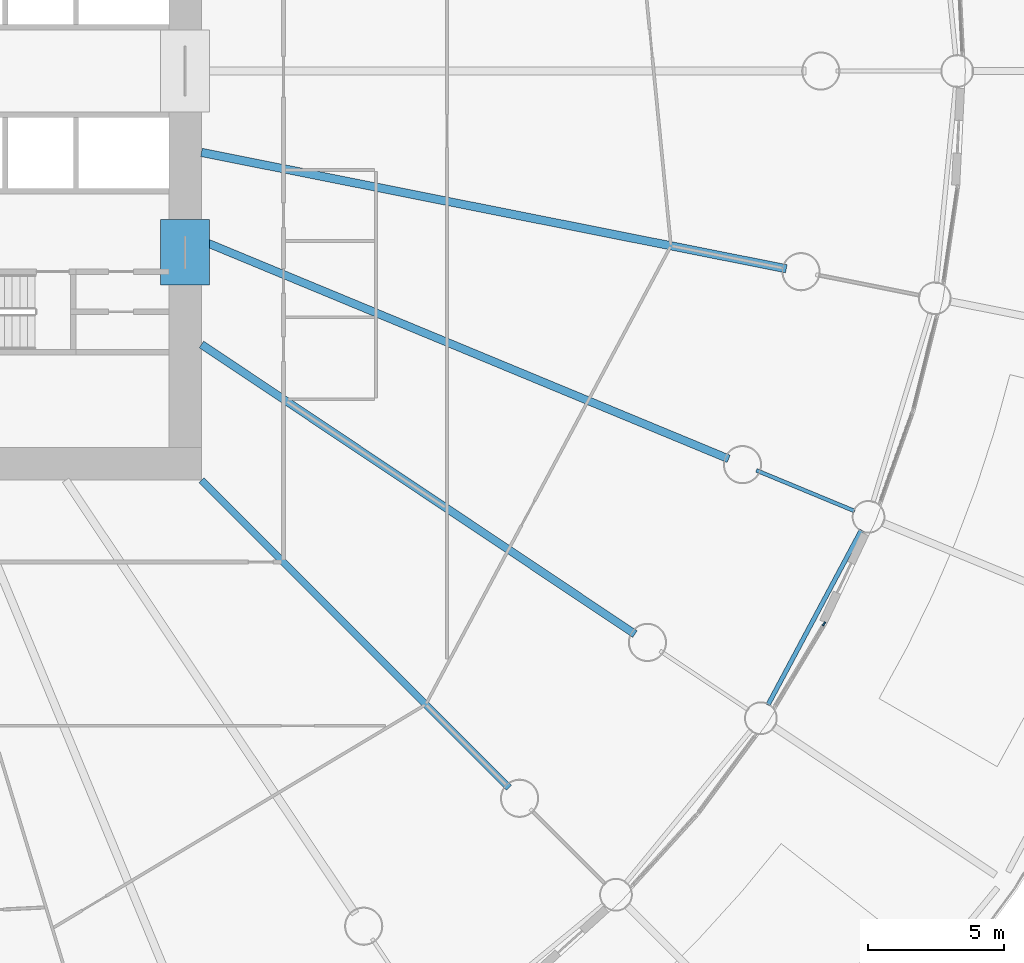
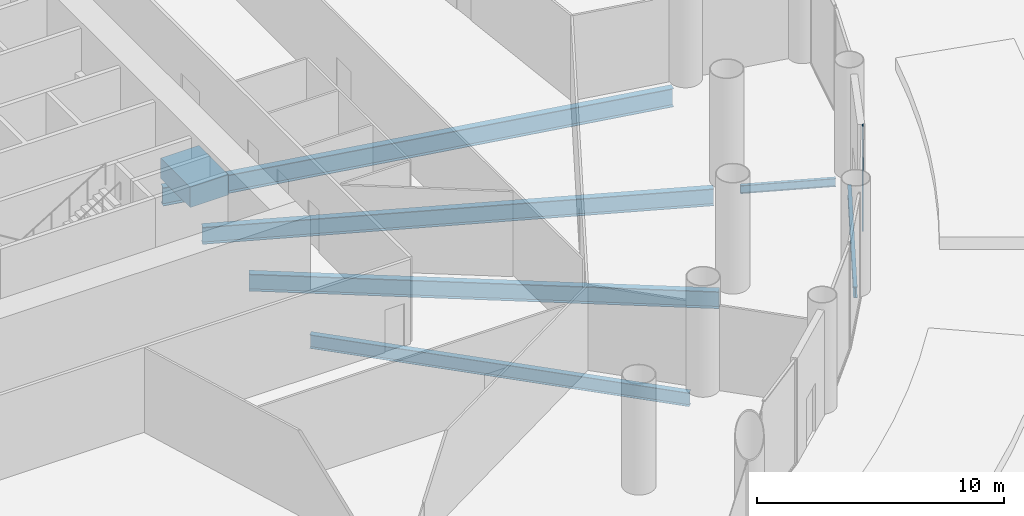
# One storey, part 13 of 36: 7 beams, 1 member, 1 element without a shape of its own.
"""IFC4 building model written with IfcOpenShell, lengths in metres."""

from ifc_helpers import new_model, si_unit, direction, frame, origin, origin_2d, place, context, subcontext, project, spatial, rectangle, i_section, extrude, material, material_profile, profile_set, type_object, element, aggregate, save


model = new_model("IFC4")

# Units and contexts
model_context = context("Model", 3, precision=1e-05, world=origin(), true_north=direction((0.0, 1.0)))
body_context = subcontext(model_context, "Body", "Model", "MODEL_VIEW")
ifc_project = project(units=[si_unit("LENGTHUNIT", "METRE"), si_unit("AREAUNIT", "SQUARE_METRE"), si_unit("VOLUMEUNIT", "CUBIC_METRE"), si_unit("PLANEANGLEUNIT", "RADIAN"), si_unit("MASSUNIT", "GRAM", prefix="KILO")], contexts=[model_context])

# Site, building, storey
site_placement = place(None, origin())
site = spatial("IfcSite", under=ifc_project, at=site_placement, CompositionType="ELEMENT")
building_placement = place(site_placement, origin())
building = spatial("IfcBuilding", under=site, at=building_placement, Name="Corvane Civic Tower", CompositionType="ELEMENT")
storey_placement = place(building_placement, frame((0.0, 0.0, 6.0)))
storey = spatial("IfcBuildingStorey", under=building, at=storey_placement, Name="L01", CompositionType="ELEMENT", Elevation=6.0)

# Beams
ifc_material_1 = material(Name="Concrete C80/95", Category="concrete")
ifc_material_profile_1 = material_profile(ifc_material_1, rectangle(XDim=1.800048828125, YDim=1.0, at=origin_2d()), Name="COUPLING BEAM 1800X1000")
ifc_profile_set_1 = profile_set([ifc_material_profile_1], Name="Concrete C80/95")
beam_type_1 = type_object("IfcBeamType", Name="COUPLING BEAM COUPLING BEAM 1800X1000", PredefinedType="BEAM", material=ifc_profile_set_1)
beam_1_placement = place(storey_placement, frame((14.39990234375, -7.85009765625, 2.60009765625), z_axis=(0.0, 1.0, 0.0), x_axis=(-1.0, 0.0, 0.0)))
element("IfcBeam", 1, at=beam_1_placement, inside=storey, type_object=beam_type_1, Name="BM-L01-cpl-CW-ES", PredefinedType="BEAM", context=body_context, shape_type="SweptSolid", body=[
    extrude(rectangle(XDim=1.800048828125, YDim=1.0, at=origin_2d()), origin(), (0.0, 0.0, 1.0), 2.400146484375),
])
ifc_material_2 = material(Name="Steel ASTM A992 Gr 50", Category="steel")
ifc_material_profile_2 = material_profile(ifc_material_2, i_section(OverallWidth=0.165771484375, OverallDepth=0.5283203125, WebThickness=0.009765625, FlangeThickness=0.013671875, at=origin_2d()), Name="W21X50")
ifc_profile_set_2 = profile_set([ifc_material_profile_2], Name="Steel ASTM A992 Gr 50")
beam_type_2 = type_object("IfcBeamType", Name="EDGE BEAM W21X50", PredefinedType="BEAM", material=ifc_profile_set_2)
beam_2_placement = place(storey_placement, frame((39.1904296875, -16.82568359375, -0.564208984375), z_axis=(-0.471412394598, -0.881912894916, 0.0), x_axis=(0.881912894916, -0.471412394598, 0.0)))
element("IfcBeam", 2, at=beam_2_placement, inside=storey, type_object=beam_type_2, Name="BM-L01-E11", PredefinedType="BEAM", context=body_context, shape_type="SweptSolid", body=[
    extrude(i_section(OverallWidth=0.165771484375, OverallDepth=0.5283203125, WebThickness=0.009765625, FlangeThickness=0.013671875, at=origin_2d()), origin(), (0.0, 0.0, 1.0), 7.270751953125),
])
ifc_material_3 = material(Name="Steel ASTM A992 Gr 50", Category="steel")
ifc_material_profile_3 = material_profile(ifc_material_3, i_section(OverallWidth=0.140380859375, OverallDepth=0.40380859375, WebThickness=0.007080078125, FlangeThickness=0.01123046875, at=origin_2d()), Name="W16X31")
ifc_profile_set_3 = profile_set([ifc_material_profile_3], Name="Steel ASTM A992 Gr 50")
beam_type_3 = type_object("IfcBeamType", Name="FLOOR GIRDER W16X31", PredefinedType="BEAM", material=ifc_profile_set_3)
beam_3_placement = place(storey_placement, frame((35.33837890625, -14.6376953125, -0.501953125), z_axis=(0.923878730261, -0.382685369162, 0.0), x_axis=(0.382685369162, 0.923878730261, 0.0)))
element("IfcBeam", 3, at=beam_3_placement, inside=storey, type_object=beam_type_3, Name="BM-L01-G11b", PredefinedType="BEAM", context=body_context, shape_type="SweptSolid", body=[
    extrude(i_section(OverallWidth=0.140380859375, OverallDepth=0.40380859375, WebThickness=0.007080078125, FlangeThickness=0.01123046875, at=origin_2d()), origin(), (0.0, 0.0, 1.0), 3.89990234375),
])
ifc_material_4 = material(Name="Steel ASTM A992 Gr 50", Category="steel")
ifc_material_profile_4 = material_profile(ifc_material_4, i_section(OverallWidth=0.25390625, OverallDepth=0.67822265625, WebThickness=0.01171875, FlangeThickness=0.016357421875, at=origin_2d()), Name="W27X84")
ifc_profile_set_4 = profile_set([ifc_material_profile_4], Name="Steel ASTM A992 Gr 50")
beam_type_4 = type_object("IfcBeamType", Name="FLOOR GIRDER W27X84", PredefinedType="BEAM", material=ifc_profile_set_4)
beam_4_placement = place(storey_placement, frame((15.0, -15.0, -0.63916015625), z_axis=(0.707106781187, -0.707106781187, 0.0), x_axis=(0.707106781187, 0.707106781187, 0.0)))
element("IfcBeam", 4, at=beam_4_placement, inside=storey, type_object=beam_type_4, Name="BM-L01-G13", PredefinedType="BEAM", context=body_context, shape_type="SweptSolid", body=[
    extrude(i_section(OverallWidth=0.25390625, OverallDepth=0.67822265625, WebThickness=0.01171875, FlangeThickness=0.016357421875, at=origin_2d()), origin(), (0.0, 0.0, 1.0), 15.936767578125),
])
ifc_material_5 = material(Name="Steel ASTM A992 Gr 50", Category="steel")
ifc_material_profile_5 = material_profile(ifc_material_5, i_section(OverallWidth=0.2919921875, OverallDepth=0.845703125, WebThickness=0.015380859375, FlangeThickness=0.0244140625, at=origin_2d()), Name="W33X141")
ifc_profile_set_5 = profile_set([ifc_material_profile_5], Name="Steel ASTM A992 Gr 50")
beam_type_5 = type_object("IfcBeamType", Name="FLOOR GIRDER W33X141", PredefinedType="BEAM", material=ifc_profile_set_5)
beam_5_placement = place(storey_placement, frame((15.0, -6.213134765625, -0.722900390625), z_axis=(0.923875834355, -0.382692360381, 0.0), x_axis=(0.382692360381, 0.923875834355, 0.0)))
element("IfcBeam", 5, at=beam_5_placement, inside=storey, type_object=beam_type_5, Name="BM-L01-G11", PredefinedType="BEAM", context=body_context, shape_type="SweptSolid", body=[
    extrude(i_section(OverallWidth=0.2919921875, OverallDepth=0.845703125, WebThickness=0.015380859375, FlangeThickness=0.0244140625, at=origin_2d()), origin(), (0.0, 0.0, 1.0), 20.9140625),
])
beam_6_placement = place(storey_placement, frame((15.0, -10.022705078125, -0.722900390625), z_axis=(0.831471985418, -0.555566681385, 0.0), x_axis=(0.555566681385, 0.831471985418, 0.0)))
element("IfcBeam", 6, at=beam_6_placement, inside=storey, type_object=beam_type_5, Name="BM-L01-G12", PredefinedType="BEAM", context=body_context, shape_type="SweptSolid", body=[
    extrude(i_section(OverallWidth=0.2919921875, OverallDepth=0.845703125, WebThickness=0.015380859375, FlangeThickness=0.0244140625, at=origin_2d()), origin(), (0.0, 0.0, 1.0), 19.109619140625),
])
ifc_material_6 = material(Name="Steel ASTM A992 Gr 50", Category="steel")
ifc_material_profile_6 = material_profile(ifc_material_6, i_section(OverallWidth=0.3046875, OverallDepth=0.911865234375, WebThickness=0.015869140625, FlangeThickness=0.02392578125, at=origin_2d()), Name="W36X150")
ifc_profile_set_6 = profile_set([ifc_material_profile_6], Name="Steel ASTM A992 Gr 50")
beam_type_6 = type_object("IfcBeamType", Name="FLOOR GIRDER W36X150", PredefinedType="BEAM", material=ifc_profile_set_6)
beam_7_placement = place(storey_placement, frame((15.0, -2.983642578125, -0.755859375), z_axis=(0.980785499679, -0.195089219638, 0.0), x_axis=(0.195089219638, 0.980785499679, 0.0)))
element("IfcBeam", 7, at=beam_7_placement, inside=storey, type_object=beam_type_6, Name="BM-L01-G10", PredefinedType="BEAM", context=body_context, shape_type="SweptSolid", body=[
    extrude(i_section(OverallWidth=0.3046875, OverallDepth=0.911865234375, WebThickness=0.015869140625, FlangeThickness=0.02392578125, at=origin_2d()), origin(), (0.0, 0.0, 1.0), 21.856201171875),
])

# Curtain wall, member
ifc_material_7 = material(Name="Aluminium and glass", Category="aluminium")
curtain_wall_type = type_object("IfcCurtainWallType", Name="PODIUM-CW-P-RUN", PredefinedType="NOTDEFINED", material=ifc_material_7)
curtain_wall_placement = place(storey_placement, origin())
curtain_wall = element("IfcCurtainWall", 8, at=curtain_wall_placement, inside=storey, type_object=curtain_wall_type, Name="PODI run L01-drum-11B", PredefinedType="NOTDEFINED")
ifc_material_8 = material(Name="Anodised aluminium bronze", Category="aluminium")
ifc_material_profile_7 = material_profile(ifc_material_8, rectangle(XDim=0.06005859375, YDim=0.159912109375, at=origin_2d()), Name="AL 60x160")
ifc_profile_set_7 = profile_set([ifc_material_profile_7], Name="Anodised aluminium bronze")
member_type = type_object("IfcMemberType", Name="PODIUM-CWP-MULLION-60x160", PredefinedType="MULLION", material=ifc_profile_set_7)
member_placement = place(storey_placement, frame((37.819580078125, -20.2666015625, 0.0), z_axis=(0.0, 0.0, 1.0), x_axis=(0.857719609779, -0.514117759857, 0.0)))
member = element("IfcMember", 9, at=member_placement, type_object=member_type, Name="CW-P mullion 1", PredefinedType="MULLION", context=body_context, shape_type="SweptSolid", body=[
    extrude(rectangle(XDim=0.06005859375, YDim=0.159912109375, at=origin_2d()), origin(), (0.0, 0.0, 1.0), 5.199951171875),
])
aggregate(curtain_wall, [member])

save(model, "model.ifc")
